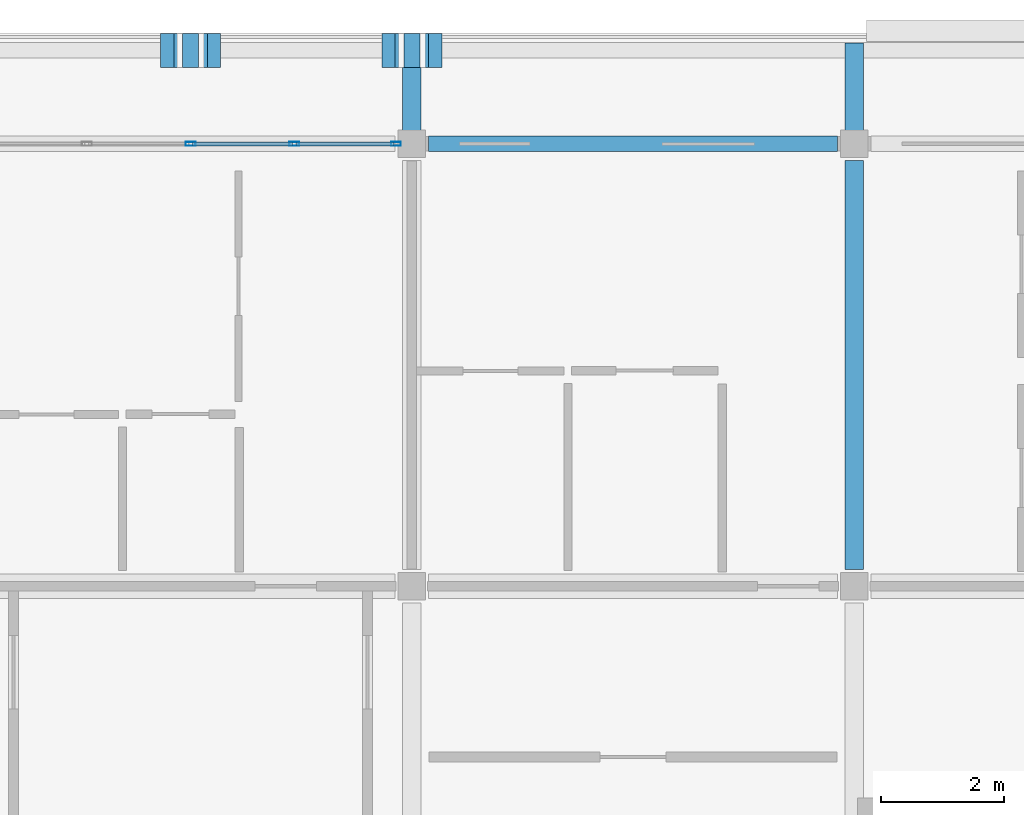
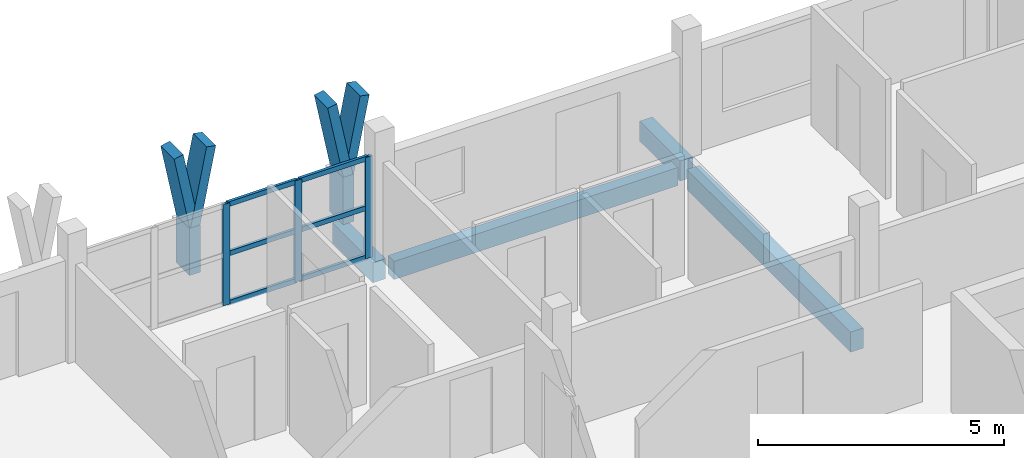
# One storey, part 23 of 56: 15 members, 4 beams, 1 element without a shape of its own.
"""IFC4 building model written with IfcOpenShell, lengths in metres."""

from ifc_helpers import new_model, si_unit, direction, frame, origin, origin_2d, place, context, subcontext, project, spatial, rectangle, hollow_rectangle, extrude, material, material_profile, profile_set, type_object, element, aggregate, save


model = new_model("IFC4")

# Units and contexts
model_context = context("Model", 3, precision=1e-05, world=origin(), true_north=direction((0.0, 1.0)))
body_context = subcontext(model_context, "Body", "Model", "MODEL_VIEW")
ifc_project = project(units=[si_unit("LENGTHUNIT", "METRE"), si_unit("AREAUNIT", "SQUARE_METRE"), si_unit("VOLUMEUNIT", "CUBIC_METRE"), si_unit("PLANEANGLEUNIT", "RADIAN"), si_unit("MASSUNIT", "GRAM", prefix="KILO")], contexts=[model_context])

# Site, building, storey
site_placement = place(None, origin())
site = spatial("IfcSite", under=ifc_project, at=site_placement, CompositionType="ELEMENT")
building_placement = place(site_placement, origin())
building = spatial("IfcBuilding", under=site, at=building_placement, Name="Suanplinth Sawtooth Commons", CompositionType="ELEMENT")
storey_placement = place(building_placement, frame((0.0, 0.0, 34.800048828125)))
storey = spatial("IfcBuildingStorey", under=building, at=storey_placement, Name="L10", CompositionType="ELEMENT", Elevation=34.800048828125)

# Beams
ifc_material_1 = material(Name="Precast concrete C40/50", Category="concrete")
ifc_material_profile_1 = material_profile(ifc_material_1, rectangle(XDim=0.300048828125, YDim=0.5, at=origin_2d()), Name="PC-BM 300x500")
ifc_profile_set_1 = profile_set([ifc_material_profile_1], Name="Precast concrete C40/50")
beam_type_1 = type_object("IfcBeamType", Name="B-07", PredefinedType="BEAM", material=ifc_profile_set_1)
beam_1_placement = place(storey_placement, frame((158.39990234375, 115.47509765625, -0.469970703125), z_axis=(0.0, 1.0, 0.0), x_axis=(-1.0, 0.0, 0.0)))
element("IfcBeam", 1, at=beam_1_placement, inside=storey, type_object=beam_type_1, Name="BMY-L10-B-22-16", PredefinedType="BEAM", context=body_context, shape_type="SweptSolid", body=[
    extrude(rectangle(XDim=0.300048828125, YDim=0.5, at=origin_2d()), origin(), (0.0, 0.0, 1.0), 6.64990234375),
])
for number, where, z_axis, x_axis, name in (
    (2, (151.199951171875, 122.39990234375, -0.429931640625), (0.0, 1.0, 0.0), (-1.0, 0.0, 0.0), "Balcony Outrigger L10-B-N-21"),
    (3, (158.39990234375, 122.39990234375, -0.429931640625), (0.0, 1.0, 0.0), (-1.0, 0.0, 0.0), "Balcony Outrigger L10-B-N-22"),
):
    element("IfcBeam", number, at=place(storey_placement, frame(where, z_axis=z_axis, x_axis=x_axis)), inside=storey, type_object=beam_type_1, Name=name, PredefinedType="BEAM", context=body_context, shape_type="SweptSolid", body=[
        extrude(rectangle(XDim=0.300048828125, YDim=0.5, at=origin_2d()), origin(), (0.0, 0.0, 1.0), 1.64013671875),
    ])
ifc_material_profile_2 = material_profile(ifc_material_1, rectangle(XDim=0.25, YDim=0.449951171875, at=origin_2d()), Name="PC-SP 250x450")
ifc_profile_set_2 = profile_set([ifc_material_profile_2], Name="Precast concrete C40/50")
beam_type_2 = type_object("IfcBeamType", Name="B-09", PredefinedType="SPANDREL", material=ifc_profile_set_2)
beam_2_placement = place(storey_placement, frame((151.47509765625, 122.39990234375, -0.445068359375), z_axis=(1.0, 0.0, 0.0), x_axis=(0.0, 1.0, 0.0)))
element("IfcBeam", 4, at=beam_2_placement, inside=storey, type_object=beam_type_2, Name="BMX-L10-B-21-17", PredefinedType="SPANDREL", context=body_context, shape_type="SweptSolid", body=[
    extrude(rectangle(XDim=0.25, YDim=0.449951171875, at=origin_2d()), origin(), (0.0, 0.0, 1.0), 6.64990234375),
])

# Members
ifc_material_2 = material(Name="Pigmented precast concrete C40/50", Category="concrete")
ifc_material_profile_3 = material_profile(ifc_material_2, rectangle(XDim=0.260009765625, YDim=0.550048828125, at=origin_2d()), Name="PC-FIN 260x550")
ifc_profile_set_3 = profile_set([ifc_material_profile_3], Name="Pigmented precast concrete C40/50")
member_type_1 = type_object("IfcMemberType", Name="M-09", PredefinedType="USERDEFINED", material=ifc_profile_set_3)
for number, where, z_axis, x_axis, name in (
    (5, (147.60009765625, 123.919921875, 0.0), (0.0, 0.0, 1.0), (1.0, 0.0, 0.0), "Y-Blade Stem L10-B-N-03"),
    (6, (151.199951171875, 123.919921875, 0.0), (0.0, 0.0, 1.0), (1.0, 0.0, 0.0), "Y-Blade Stem L10-B-N-04"),
):
    element("IfcMember", number, at=place(storey_placement, frame(where, z_axis=z_axis, x_axis=x_axis)), inside=storey, type_object=member_type_1, Name=name, ObjectType="SHADING FIN", PredefinedType="USERDEFINED", context=body_context, shape_type="SweptSolid", body=[
        extrude(rectangle(XDim=0.260009765625, YDim=0.550048828125, at=origin_2d()), origin(), (0.0, 0.0, 1.0), 1.169921875),
    ])
ifc_material_profile_4 = material_profile(ifc_material_2, rectangle(XDim=0.219970703125, YDim=0.550048828125, at=origin_2d()), Name="PC-FIN 220x550")
ifc_profile_set_4 = profile_set([ifc_material_profile_4], Name="Pigmented precast concrete C40/50")
member_type_2 = type_object("IfcMemberType", Name="M-10", PredefinedType="USERDEFINED", material=ifc_profile_set_4)
member_1_placement = place(storey_placement, frame((147.60009765625, 123.919921875, 1.1298828125), z_axis=(-0.196406855569, 0.0, 0.980522486782), x_axis=(0.980522486782, 0.0, 0.196406855569)))
element("IfcMember", 7, at=member_1_placement, inside=storey, type_object=member_type_2, Name="Y-Blade Arm L L10-B-N-03", ObjectType="SHADING FIN", PredefinedType="USERDEFINED", context=body_context, shape_type="SweptSolid", body=[
    extrude(rectangle(XDim=0.219970703125, YDim=0.550048828125, at=origin_2d()), origin(), (0.0, 0.0, 1.0), 1.93798828125),
])
for number, where, z_axis, x_axis, name in (
    (8, (147.60009765625, 123.919921875, 1.1298828125), (0.196285728346, 0.0, 0.980546741796), (-0.980546741796, 0.0, 0.196285728346), "Y-Blade Arm R L10-B-N-03"),
    (9, (151.199951171875, 123.919921875, 1.1298828125), (-0.196285728346, 0.0, 0.980546741796), (0.980546741796, 0.0, 0.196285728346), "Y-Blade Arm L L10-B-N-04"),
):
    element("IfcMember", number, at=place(storey_placement, frame(where, z_axis=z_axis, x_axis=x_axis)), inside=storey, type_object=member_type_2, Name=name, ObjectType="SHADING FIN", PredefinedType="USERDEFINED", context=body_context, shape_type="SweptSolid", body=[
        extrude(rectangle(XDim=0.219970703125, YDim=0.550048828125, at=origin_2d()), origin(), (0.0, 0.0, 1.0), 1.937744140625),
    ])
member_2_placement = place(storey_placement, frame((151.199951171875, 123.919921875, 1.1298828125), z_axis=(0.196406855569, 0.0, 0.980522486782), x_axis=(-0.980522486782, 0.0, 0.196406855569)))
element("IfcMember", 10, at=member_2_placement, inside=storey, type_object=member_type_2, Name="Y-Blade Arm R L10-B-N-04", ObjectType="SHADING FIN", PredefinedType="USERDEFINED", context=body_context, shape_type="SweptSolid", body=[
    extrude(rectangle(XDim=0.219970703125, YDim=0.550048828125, at=origin_2d()), origin(), (0.0, 0.0, 1.0), 1.93798828125),
])

# Curtain wall, members
ifc_material_3 = material(Name="Anodized aluminium and low-E glazing", Category="aluminium")
curtain_wall_type = type_object("IfcCurtainWallType", Name="CW-06", PredefinedType="USERDEFINED", material=ifc_material_3)
curtain_wall_placement = place(storey_placement, origin())
curtain_wall = element("IfcCurtainWall", 11, at=curtain_wall_placement, inside=storey, type_object=curtain_wall_type, Name="Curtain Wall CW-L10-B-LOUNGE-20", ObjectType="CURTAIN WALL", PredefinedType="USERDEFINED")
ifc_material_4 = material(Name="Anodized aluminium 6063-T6", Category="aluminium")
ifc_material_profile_5 = material_profile(ifc_material_4, hollow_rectangle(XDim=0.06494140625, YDim=0.159912109375, WallThickness=0.00390625, at=origin_2d()), Name="ALU-MUL 65x160")
ifc_profile_set_5 = profile_set([ifc_material_profile_5], Name="Anodized aluminium 6063-T6")
member_type_3 = type_object("IfcMemberType", Name="M-13", PredefinedType="MULLION", material=ifc_profile_set_5)
member_3_placement = place(storey_placement, frame((147.60009765625, 122.39990234375, 0.0), z_axis=(0.0, 0.0, 1.0), x_axis=(0.0, 1.0, 0.0)))
member_3 = element("IfcMember", 12, at=member_3_placement, type_object=member_type_3, Name="CW-06 mullion 3", PredefinedType="MULLION", context=body_context, shape_type="SweptSolid", body=[
    extrude(hollow_rectangle(XDim=0.06494140625, YDim=0.159912109375, WallThickness=0.00390625, at=origin_2d()), origin(), (0.0, 0.0, 1.0), 2.510009765625),
])
member_4_placement = place(storey_placement, frame((149.28759765625, 122.39990234375, 0.0), z_axis=(0.0, 0.0, 1.0), x_axis=(0.0, 1.0, 0.0)))
member_4 = element("IfcMember", 13, at=member_4_placement, type_object=member_type_3, Name="CW-06 mullion 4", PredefinedType="MULLION", context=body_context, shape_type="SweptSolid", body=[
    extrude(hollow_rectangle(XDim=0.06494140625, YDim=0.159912109375, WallThickness=0.00390625, at=origin_2d()), origin(), (0.0, 0.0, 1.0), 2.510009765625),
])
member_5_placement = place(storey_placement, frame((150.9423828125, 122.39990234375, 0.0), z_axis=(0.0, 0.0, 1.0), x_axis=(0.0, 1.0, 0.0)))
member_5 = element("IfcMember", 14, at=member_5_placement, type_object=member_type_3, Name="CW-06 mullion 5", PredefinedType="MULLION", context=body_context, shape_type="SweptSolid", body=[
    extrude(hollow_rectangle(XDim=0.06494140625, YDim=0.159912109375, WallThickness=0.00390625, at=origin_2d()), origin(), (0.0, 0.0, 1.0), 2.510009765625),
])
ifc_material_profile_6 = material_profile(ifc_material_4, hollow_rectangle(XDim=0.06494140625, YDim=0.1201171875, WallThickness=0.00390625, at=origin_2d()), Name="ALU-TRN 65x120")
ifc_profile_set_6 = profile_set([ifc_material_profile_6], Name="Anodized aluminium 6063-T6")
member_type_4 = type_object("IfcMemberType", Name="M-15", PredefinedType="USERDEFINED", material=ifc_profile_set_6)
member_6_placement = place(storey_placement, frame((147.632568359375, 122.39990234375, 0.032470703125), z_axis=(1.0, 0.0, 0.0), x_axis=(0.0, 1.0, 0.0)))
member_6 = element("IfcMember", 15, at=member_6_placement, type_object=member_type_4, Name="CW-06 transom 3.1", ObjectType="TRANSOM", PredefinedType="USERDEFINED", context=body_context, shape_type="SweptSolid", body=[
    extrude(hollow_rectangle(XDim=0.06494140625, YDim=0.1201171875, WallThickness=0.00390625, at=origin_2d()), origin(), (0.0, 0.0, 1.0), 1.622314453125),
])
member_7_placement = place(storey_placement, frame((147.632568359375, 122.39990234375, 1.2548828125), z_axis=(1.0, 0.0, 0.0), x_axis=(0.0, 1.0, 0.0)))
member_7 = element("IfcMember", 16, at=member_7_placement, type_object=member_type_4, Name="CW-06 transom 3.2", ObjectType="TRANSOM", PredefinedType="USERDEFINED", context=body_context, shape_type="SweptSolid", body=[
    extrude(hollow_rectangle(XDim=0.06494140625, YDim=0.1201171875, WallThickness=0.00390625, at=origin_2d()), origin(), (0.0, 0.0, 1.0), 1.622314453125),
])
member_8_placement = place(storey_placement, frame((147.632568359375, 122.39990234375, 2.4775390625), z_axis=(1.0, 0.0, 0.0), x_axis=(0.0, 1.0, 0.0)))
member_8 = element("IfcMember", 17, at=member_8_placement, type_object=member_type_4, Name="CW-06 transom 3.3", ObjectType="TRANSOM", PredefinedType="USERDEFINED", context=body_context, shape_type="SweptSolid", body=[
    extrude(hollow_rectangle(XDim=0.06494140625, YDim=0.1201171875, WallThickness=0.00390625, at=origin_2d()), origin(), (0.0, 0.0, 1.0), 1.622314453125),
])
member_9_placement = place(storey_placement, frame((149.320068359375, 122.39990234375, 0.032470703125), z_axis=(1.0, 0.0, 0.0), x_axis=(0.0, 1.0, 0.0)))
member_9 = element("IfcMember", 18, at=member_9_placement, type_object=member_type_4, Name="CW-06 transom 4.1", ObjectType="TRANSOM", PredefinedType="USERDEFINED", context=body_context, shape_type="SweptSolid", body=[
    extrude(hollow_rectangle(XDim=0.06494140625, YDim=0.1201171875, WallThickness=0.00390625, at=origin_2d()), origin(), (0.0, 0.0, 1.0), 1.58984375),
])
member_10_placement = place(storey_placement, frame((149.320068359375, 122.39990234375, 1.2548828125), z_axis=(1.0, 0.0, 0.0), x_axis=(0.0, 1.0, 0.0)))
member_10 = element("IfcMember", 19, at=member_10_placement, type_object=member_type_4, Name="CW-06 transom 4.2", ObjectType="TRANSOM", PredefinedType="USERDEFINED", context=body_context, shape_type="SweptSolid", body=[
    extrude(hollow_rectangle(XDim=0.06494140625, YDim=0.1201171875, WallThickness=0.00390625, at=origin_2d()), origin(), (0.0, 0.0, 1.0), 1.58984375),
])
member_11_placement = place(storey_placement, frame((149.320068359375, 122.39990234375, 2.4775390625), z_axis=(1.0, 0.0, 0.0), x_axis=(0.0, 1.0, 0.0)))
member_11 = element("IfcMember", 20, at=member_11_placement, type_object=member_type_4, Name="CW-06 transom 4.3", ObjectType="TRANSOM", PredefinedType="USERDEFINED", context=body_context, shape_type="SweptSolid", body=[
    extrude(hollow_rectangle(XDim=0.06494140625, YDim=0.1201171875, WallThickness=0.00390625, at=origin_2d()), origin(), (0.0, 0.0, 1.0), 1.58984375),
])
aggregate(curtain_wall, [member_3, member_4, member_5, member_6, member_7, member_8, member_9, member_10, member_11])

save(model, "model.ifc")
